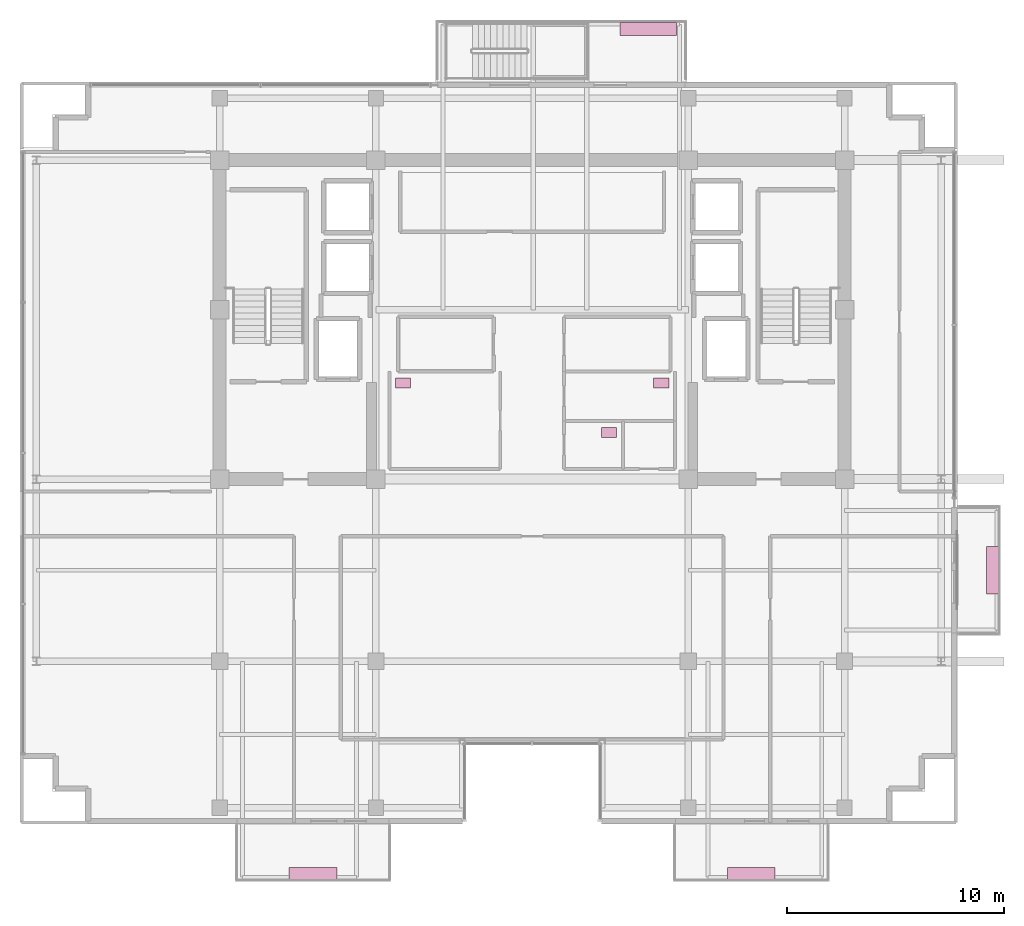
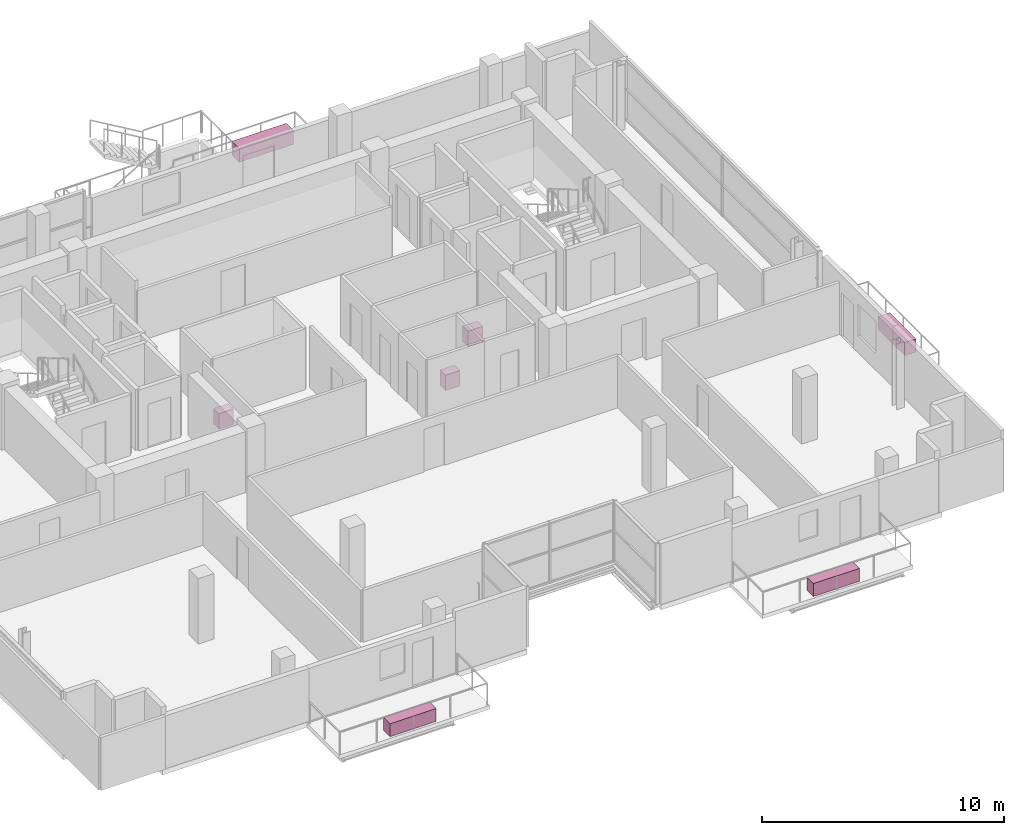
# One storey, part 24 of 24: 7 furnishings.
"""IFC4 building model written with IfcOpenShell, lengths in metres."""

from ifc_helpers import new_model, si_unit, direction, frame, origin, origin_2d, place, context, subcontext, project, spatial, rectangle, extrude, source, transform, mapped, material, type_object, element, save


model = new_model("IFC4")

# Units and contexts
model_context = context("Model", 3, precision=1e-05, world=origin(), true_north=direction((0.0, 1.0)))
body_context = subcontext(model_context, "Body", "Model", "MODEL_VIEW")
ifc_project = project(units=[si_unit("LENGTHUNIT", "METRE"), si_unit("AREAUNIT", "SQUARE_METRE"), si_unit("VOLUMEUNIT", "CUBIC_METRE"), si_unit("PLANEANGLEUNIT", "RADIAN"), si_unit("MASSUNIT", "GRAM", prefix="KILO")], contexts=[model_context])

# Site, building, storey
site_placement = place(None, origin())
site = spatial("IfcSite", under=ifc_project, at=site_placement, CompositionType="ELEMENT")
building_placement = place(site_placement, origin())
building = spatial("IfcBuilding", under=site, at=building_placement, Name="Zarnakvel Exchange Tower", CompositionType="ELEMENT")
storey_placement = place(building_placement, frame((0.0, 0.0, 205.60009765625)))
storey = spatial("IfcBuildingStorey", under=building, at=storey_placement, Name="L57", CompositionType="ELEMENT", Elevation=205.60009765625)

# Furnishings
ifc_material_1 = material(Name="Architectural Bronze Anodised Aluminium", Category="aluminium")
furnishing_element_type_1 = type_object("IfcFurnishingElementType", Name="PLNT-02", material=ifc_material_1)
shared_shape_1 = source(origin(), body_context, "Body", "SweptSolid", [
    extrude(rectangle(XDim=2.60009765625, YDim=0.60009765625, at=origin_2d()), origin(), (0.0, 0.0, 1.0), 0.699951171875),
])
furnishing_placement = place(storey_placement, frame((5.35009765625, 19.5400390625, 0.0), z_axis=(0.0, 0.0, 1.0), x_axis=(1.0, 0.0, 0.0)))
element("IfcFurnishingElement", 1, at=furnishing_placement, inside=storey, type_object=furnishing_element_type_1, Name="L57 Spiral Sky-Terrace Tropical Planter", ObjectType="PLANTER", context=body_context, shape_type="MappedRepresentation", body=[
    mapped(shared_shape_1, transform((0.0, 0.0, 0.0), x_axis=(1.0, 0.0, 0.0), y_axis=(0.0, 1.0, 0.0), z_axis=(0.0, 0.0, 1.0), scale=1.0)),
])
furnishing_element_type_2 = type_object("IfcFurnishingElementType", Name="PLNT-01", material=ifc_material_1)
shared_shape_2 = source(origin(), body_context, "Body", "SweptSolid", [
    extrude(rectangle(XDim=2.199951171875, YDim=0.550048828125, at=origin_2d()), origin(), (0.0, 0.0, 1.0), 0.64990234375),
])
for number, where, z_axis, x_axis, name in (
    (2, (-10.10009765625, -19.3701171875, -0.06005859375), (0.0, 0.0, 1.0), (1.0, 0.0, 0.0), "L57 Balcony Greenery Planter BAL-L57-SW"),
    (3, (10.10009765625, -19.3701171875, -0.06005859375), (0.0, 0.0, 1.0), (1.0, 0.0, 0.0), "L57 Balcony Greenery Planter BAL-L57-SE"),
    (4, (21.219970703125, -5.39990234375, -0.06005859375), (0.0, 0.0, 1.0), (0.0, 1.0, 0.0), "L57 Balcony Greenery Planter BAL-L57-E"),
):
    element("IfcFurnishingElement", number, at=place(storey_placement, frame(where, z_axis=z_axis, x_axis=x_axis)), inside=storey, type_object=furnishing_element_type_2, Name=name, ObjectType="PLANTER", context=body_context, shape_type="MappedRepresentation", body=[
        mapped(shared_shape_2, transform((0.0, 0.0, 0.0), x_axis=(1.0, 0.0, 0.0), y_axis=(0.0, 1.0, 0.0), z_axis=(0.0, 0.0, 1.0), scale=1.0)),
    ])
ifc_material_2 = material(Name="Vitreous China Sanitaryware", Category="ceramic")
furnishing_element_type_3 = type_object("IfcFurnishingElementType", Name="SAN-WC", material=ifc_material_2)
shared_shape_3 = source(origin(), body_context, "Body", "SweptSolid", [
    extrude(rectangle(XDim=0.699951171875, YDim=0.449951171875, at=origin_2d()), origin(), (0.0, 0.0, 1.0), 0.780029296875),
])
for number, where, z_axis, x_axis, name in (
    (5, (-5.949951171875, 3.22998046875, 0.0), (0.0, 0.0, 1.0), (1.0, 0.0, 0.0), "L57 Sanitary Fixture (Male Toilet)"),
    (6, (5.949951171875, 3.22998046875, 0.0), (0.0, 0.0, 1.0), (1.0, 0.0, 0.0), "L57 Sanitary Fixture (Female Toilet)"),
    (7, (3.550048828125, 0.949951171875, 0.0), (0.0, 0.0, 1.0), (1.0, 0.0, 0.0), "L57 Sanitary Fixture (Accessible Toilet)"),
):
    element("IfcFurnishingElement", number, at=place(storey_placement, frame(where, z_axis=z_axis, x_axis=x_axis)), inside=storey, type_object=furnishing_element_type_3, Name=name, ObjectType="SANITARY_FIXTURE", context=body_context, shape_type="MappedRepresentation", body=[
        mapped(shared_shape_3, transform((0.0, 0.0, 0.0), x_axis=(1.0, 0.0, 0.0), y_axis=(0.0, 1.0, 0.0), z_axis=(0.0, 0.0, 1.0), scale=1.0)),
    ])

save(model, "model.ifc")
